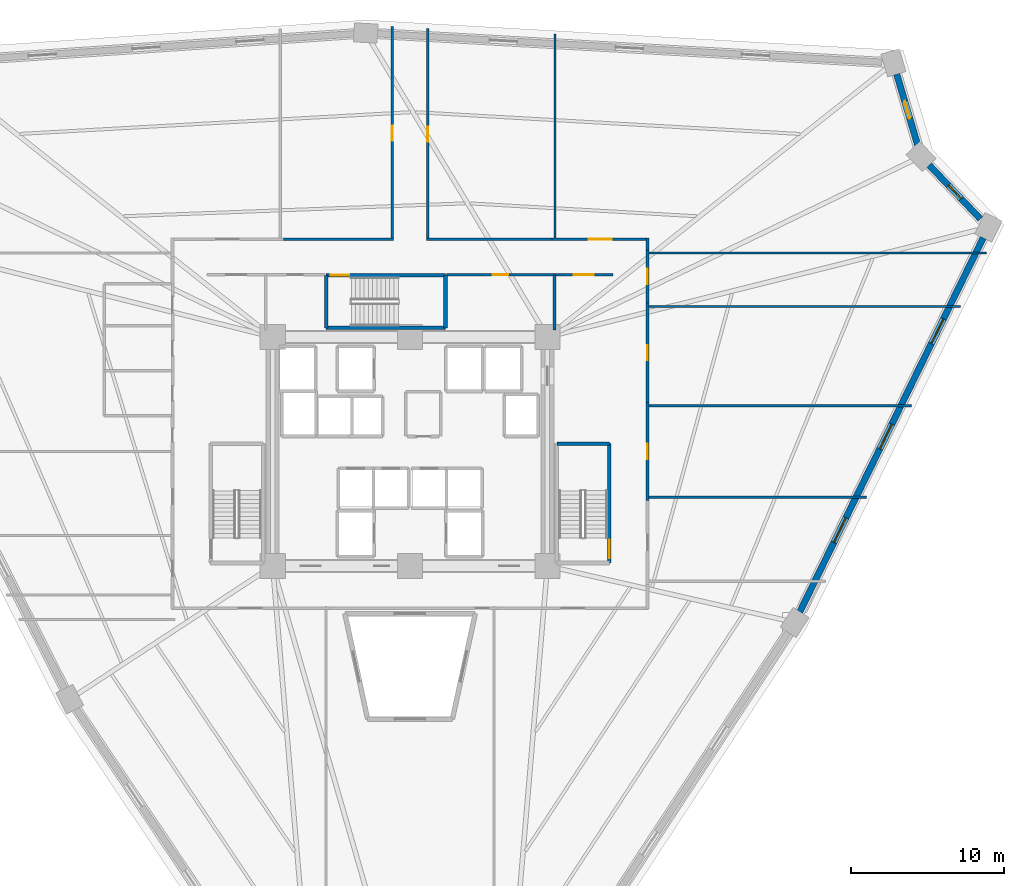
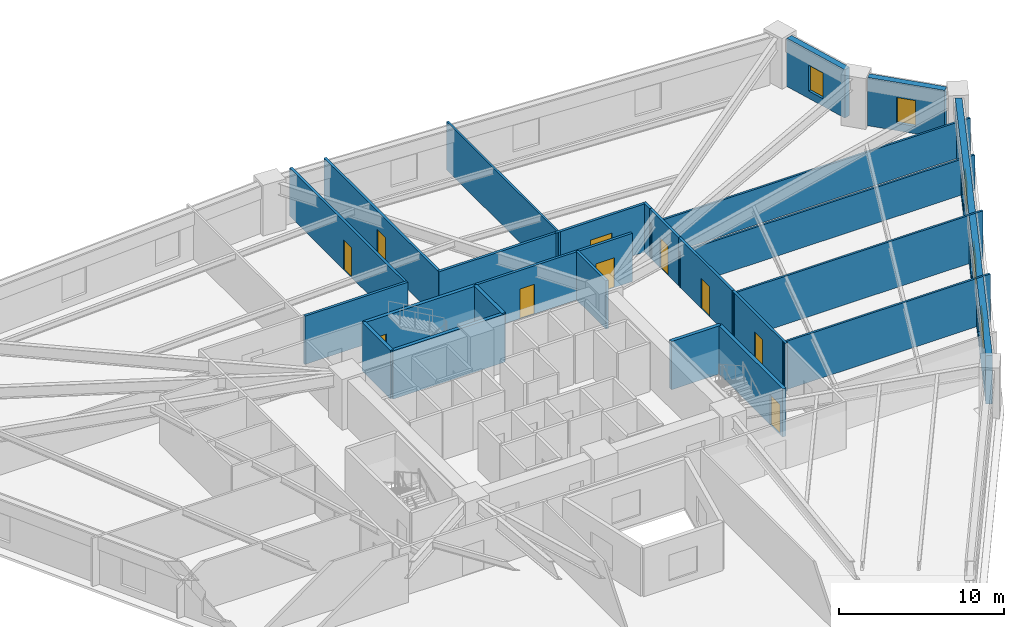
# One storey, part 6 of 9: 26 walls, 10 doors, 5 windows, 15 openings.
"""IFC4 building model written with IfcOpenShell, lengths in metres."""

from ifc_helpers import new_model, si_unit, direction, frame, frame_2d, origin, place, context, subcontext, project, spatial, rectangle, extrude, source, transform, mapped, material, layer, layer_set, type_object, element, fill, save


model = new_model("IFC4")

# Units and contexts
model_context = context("Model", 3, precision=1e-05, world=origin(), true_north=direction((0.0, 1.0)))
body_context = subcontext(model_context, "Body", "Model", "MODEL_VIEW")
ifc_project = project(units=[si_unit("LENGTHUNIT", "METRE"), si_unit("AREAUNIT", "SQUARE_METRE"), si_unit("VOLUMEUNIT", "CUBIC_METRE"), si_unit("PLANEANGLEUNIT", "RADIAN"), si_unit("MASSUNIT", "GRAM", prefix="KILO")], contexts=[model_context])

# Site, building, storey
site_placement = place(None, origin())
site = spatial("IfcSite", under=ifc_project, at=site_placement, CompositionType="ELEMENT")
building_placement = place(site_placement, origin())
building = spatial("IfcBuilding", under=site, at=building_placement, Name="Liaohun Quay Tower", CompositionType="ELEMENT")
storey_placement = place(building_placement, frame((0.0, 0.0, 74.25)))
storey = spatial("IfcBuildingStorey", under=building, at=storey_placement, Name="L19", CompositionType="ELEMENT", Elevation=74.25)

# Wall, openings, windows
ifc_material_1 = material(Name="Precast concrete C50 insulated sandwich", Category="concrete")
ifc_layer_1 = layer(ifc_material_1, 0.419921875, Name="Precast concrete C50 insulated sandwich", Category="concrete")
ifc_layer_set_1 = layer_set([ifc_layer_1], Name="Precast concrete C50 insulated sandwich")
wall_type_1 = type_object("IfcWallType", Name="WAL-EXT-Z12", PredefinedType="SOLIDWALL", material=ifc_layer_set_1)
wall_1_placement = place(storey_placement, frame((85.532958984375, 43.492919921875, 0.0), z_axis=(0.0, 0.0, 1.0), x_axis=(0.440255770672, 0.897872405406, 0.0)))
wall_1 = element("IfcWall", 1, at=wall_1_placement, inside=storey, type_object=wall_type_1, Name="L19 Brutalist Precast Pier Wall 03", PredefinedType="SOLIDWALL", context=body_context, shape_type="SweptSolid", body=[
    extrude(rectangle(XDim=27.295654296875, YDim=0.419921875, at=frame_2d((13.64794921875, 0.0))), origin(), (0.0, 0.0, 1.0), 3.570068359375),
])
shared_shape_1 = source(origin(), body_context, "Body", "SweptSolid", [
    extrude(rectangle(XDim=1.800048828125, YDim=1.949951171875, at=frame_2d((0.89990234375, 0.97509765625))), frame((0.0, 0.219970703125, 0.0), z_axis=(0.0, -1.0, 0.0), x_axis=(1.0, 0.0, 0.0)), (0.0, 0.0, 1.0), 0.43994140625),
])
opening_1_placement = place(wall_1_placement, frame((5.073974609375, 0.0, 0.550048828125)))
opening_1 = element("IfcOpeningElement", 2, at=opening_1_placement, cuts=wall_1, Name="Opening W01", PredefinedType="OPENING", context=body_context, shape_type="MappedRepresentation", body=[
    mapped(shared_shape_1, transform((0.0, 0.0, 0.0), x_axis=(1.0, 0.0, 0.0), y_axis=(0.0, 1.0, 0.0), z_axis=(0.0, 0.0, 1.0), scale=1.0)),
])
opening_2_placement = place(wall_1_placement, frame((11.89794921875, 0.0, 0.550048828125)))
opening_2 = element("IfcOpeningElement", 3, at=opening_2_placement, cuts=wall_1, Name="Opening W01", PredefinedType="OPENING", context=body_context, shape_type="MappedRepresentation", body=[
    mapped(shared_shape_1, transform((0.0, 0.0, 0.0), x_axis=(1.0, 0.0, 0.0), y_axis=(0.0, 1.0, 0.0), z_axis=(0.0, 0.0, 1.0), scale=1.0)),
])
opening_3_placement = place(wall_1_placement, frame((19.572021484375, 0.0, 0.550048828125)))
opening_3 = element("IfcOpeningElement", 4, at=opening_3_placement, cuts=wall_1, Name="Opening W01", PredefinedType="OPENING", context=body_context, shape_type="MappedRepresentation", body=[
    mapped(shared_shape_1, transform((0.0, 0.0, 0.0), x_axis=(1.0, 0.0, 0.0), y_axis=(0.0, 1.0, 0.0), z_axis=(0.0, 0.0, 1.0), scale=1.0)),
])
ifc_material_2 = material(Name="Triple Low-E argon glazing in thermally broken aluminium", Category="aluminium")
window_type_1 = type_object("IfcWindowType", Name="WIN-PUN-Z1", PartitioningType="DOUBLE_PANEL_VERTICAL", PredefinedType="WINDOW", material=ifc_material_2)
shared_shape_2 = source(origin(), body_context, "Body", "SweptSolid", [
    extrude(rectangle(XDim=1.800048828125, YDim=1.949951171875, at=frame_2d((0.89990234375, 0.97509765625))), frame((0.0, 0.030029296875, 0.0), z_axis=(0.0, -1.0, 0.0), x_axis=(1.0, 0.0, 0.0)), (0.0, 0.0, 1.0), 0.06005859375),
])
window_1_placement = place(opening_1_placement, origin())
window_1 = element("IfcWindow", 5, at=window_1_placement, inside=storey, type_object=window_type_1, Name="L19 Recessed Cold-Climate Punched Window 03-1", OverallHeight=1.949951171875, OverallWidth=1.800048828125, PartitioningType="DOUBLE_PANEL_VERTICAL", PredefinedType="WINDOW", context=body_context, shape_type="MappedRepresentation", body=[
    mapped(shared_shape_2, transform((0.0, 0.0, 0.0), x_axis=(1.0, 0.0, 0.0), y_axis=(0.0, 1.0, 0.0), z_axis=(0.0, 0.0, 1.0), scale=1.0)),
])
fill(opening_1, window_1)
window_2_placement = place(opening_2_placement, origin())
window_2 = element("IfcWindow", 6, at=window_2_placement, inside=storey, type_object=window_type_1, Name="L19 Recessed Cold-Climate Punched Window 03-2", OverallHeight=1.949951171875, OverallWidth=1.800048828125, PartitioningType="DOUBLE_PANEL_VERTICAL", PredefinedType="WINDOW", context=body_context, shape_type="MappedRepresentation", body=[
    mapped(shared_shape_2, transform((0.0, 0.0, 0.0), x_axis=(1.0, 0.0, 0.0), y_axis=(0.0, 1.0, 0.0), z_axis=(0.0, 0.0, 1.0), scale=1.0)),
])
fill(opening_2, window_2)
window_3_placement = place(opening_3_placement, origin())
window_3 = element("IfcWindow", 7, at=window_3_placement, inside=storey, type_object=window_type_1, Name="L19 Recessed Cold-Climate Punched Window 03-3", OverallHeight=1.949951171875, OverallWidth=1.800048828125, PartitioningType="DOUBLE_PANEL_VERTICAL", PredefinedType="WINDOW", context=body_context, shape_type="MappedRepresentation", body=[
    mapped(shared_shape_2, transform((0.0, 0.0, 0.0), x_axis=(1.0, 0.0, 0.0), y_axis=(0.0, 1.0, 0.0), z_axis=(0.0, 0.0, 1.0), scale=1.0)),
])
fill(opening_3, window_3)

# Wall, opening, window
wall_2_placement = place(storey_placement, frame((97.360107421875, 69.241943359375, 0.0), z_axis=(0.0, 0.0, 1.0), x_axis=(-0.689353606937, 0.724425016549, 0.0)))
wall_2 = element("IfcWall", 8, at=wall_2_placement, inside=storey, type_object=wall_type_1, Name="L19 Brutalist Precast Pier Wall 04", PredefinedType="SOLIDWALL", context=body_context, shape_type="SweptSolid", body=[
    extrude(rectangle(XDim=4.872802734375, YDim=0.419921875, at=frame_2d((2.4365234375, 0.0))), origin(), (0.0, 0.0, 1.0), 3.570068359375),
])
shared_shape_3 = source(origin(), body_context, "Body", "SweptSolid", [
    extrude(rectangle(XDim=1.199951171875, YDim=1.89990234375, at=frame_2d((0.60009765625, 0.949951171875))), frame((0.0, 0.219970703125, 0.0), z_axis=(0.0, -1.0, 0.0), x_axis=(1.0, 0.0, 0.0)), (0.0, 0.0, 1.0), 0.43994140625),
])
opening_4_placement = place(wall_2_placement, frame((1.8359375, 0.0, 0.550048828125)))
opening_4 = element("IfcOpeningElement", 9, at=opening_4_placement, cuts=wall_2, Name="Opening W05", PredefinedType="OPENING", context=body_context, shape_type="MappedRepresentation", body=[
    mapped(shared_shape_3, transform((0.0, 0.0, 0.0), x_axis=(1.0, 0.0, 0.0), y_axis=(0.0, 1.0, 0.0), z_axis=(0.0, 0.0, 1.0), scale=1.0)),
])
ifc_material_3 = material(Name="Triple Low-E corner notch glazing", Category="glass")
window_type_2 = type_object("IfcWindowType", Name="WIN-NOTCH", PartitioningType="SINGLE_PANEL", PredefinedType="WINDOW", material=ifc_material_3)
shared_shape_4 = source(origin(), body_context, "Body", "SweptSolid", [
    extrude(rectangle(XDim=1.199951171875, YDim=1.89990234375, at=frame_2d((0.60009765625, 0.949951171875))), frame((0.0, 0.030029296875, 0.0), z_axis=(0.0, -1.0, 0.0), x_axis=(1.0, 0.0, 0.0)), (0.0, 0.0, 1.0), 0.06005859375),
])
window_4_placement = place(opening_4_placement, origin())
window_4 = element("IfcWindow", 10, at=window_4_placement, inside=storey, type_object=window_type_2, Name="L19 Corner Notch Window W05-04", OverallHeight=1.89990234375, OverallWidth=1.199951171875, PartitioningType="SINGLE_PANEL", PredefinedType="WINDOW", context=body_context, shape_type="MappedRepresentation", body=[
    mapped(shared_shape_4, transform((0.0, 0.0, 0.0), x_axis=(1.0, 0.0, 0.0), y_axis=(0.0, 1.0, 0.0), z_axis=(0.0, 0.0, 1.0), scale=1.0)),
])
fill(opening_4, window_4)

wall_3_placement = place(storey_placement, frame((93.258056640625, 74.06005859375, 0.0), z_axis=(0.0, 0.0, 1.0), x_axis=(-0.282850961841, 0.959163872019, 0.0)))
wall_3 = element("IfcWall", 11, at=wall_3_placement, inside=storey, type_object=wall_type_1, Name="L19 Brutalist Precast Pier Wall 05", PredefinedType="SOLIDWALL", context=body_context, shape_type="SweptSolid", body=[
    extrude(rectangle(XDim=4.86474609375, YDim=0.419921875, at=frame_2d((2.432373046875, 0.0))), origin(), (0.0, 0.0, 1.0), 3.570068359375),
])
opening_5_placement = place(wall_3_placement, frame((1.83203125, 0.0, 0.550048828125)))
opening_5 = element("IfcOpeningElement", 12, at=opening_5_placement, cuts=wall_3, Name="Opening W05", PredefinedType="OPENING", context=body_context, shape_type="MappedRepresentation", body=[
    mapped(shared_shape_3, transform((0.0, 0.0, 0.0), x_axis=(1.0, 0.0, 0.0), y_axis=(0.0, 1.0, 0.0), z_axis=(0.0, 0.0, 1.0), scale=1.0)),
])
window_5_placement = place(opening_5_placement, origin())
window_5 = element("IfcWindow", 13, at=window_5_placement, inside=storey, type_object=window_type_2, Name="L19 Corner Notch Window W05-05", OverallHeight=1.89990234375, OverallWidth=1.199951171875, PartitioningType="SINGLE_PANEL", PredefinedType="WINDOW", context=body_context, shape_type="MappedRepresentation", body=[
    mapped(shared_shape_4, transform((0.0, 0.0, 0.0), x_axis=(1.0, 0.0, 0.0), y_axis=(0.0, 1.0, 0.0), z_axis=(0.0, 0.0, 1.0), scale=1.0)),
])
fill(opening_5, window_5)

# Wall, opening, door
ifc_material_4 = material(Name="Autoclaved aerated concrete blockwork", Category="masonry")
ifc_layer_2 = layer(ifc_material_4, 0.179931640625, Name="Autoclaved aerated concrete blockwork", Category="masonry")
ifc_layer_set_2 = layer_set([ifc_layer_2], Name="Autoclaved aerated concrete blockwork")
wall_type_2 = type_object("IfcWallType", Name="WAL-PRT-COR", PredefinedType="PARTITIONING", material=ifc_layer_set_2)
wall_4_placement = place(storey_placement, frame((62.389892578125, 65.580078125, 0.0), z_axis=(0.0, 0.0, 1.0), x_axis=(1.0, 0.0, 0.0)))
wall_4 = element("IfcWall", 14, at=wall_4_placement, inside=storey, type_object=wall_type_2, Name="L19 Interior Partition Wall 006", PredefinedType="PARTITIONING", context=body_context, shape_type="SweptSolid", body=[
    extrude(rectangle(XDim=7.070068359375, YDim=0.179931640625, at=frame_2d((3.53515625, 0.0))), origin(), (0.0, 0.0, 1.0), 3.570068359375),
])
shared_shape_5 = source(origin(), body_context, "Body", "SweptSolid", [
    extrude(rectangle(XDim=1.0, YDim=2.199951171875, at=frame_2d((0.5, 1.10009765625))), frame((0.0, 0.099853515625, 0.0), z_axis=(0.0, -1.0, 0.0), x_axis=(1.0, 0.0, 0.0)), (0.0, 0.0, 1.0), 0.199951171875),
])
opening_6_placement = place(wall_4_placement, frame((3.034912109375, 0.0, 0.0)))
opening_6 = element("IfcOpeningElement", 15, at=opening_6_placement, cuts=wall_4, Name="Opening OD1", PredefinedType="OPENING", context=body_context, shape_type="MappedRepresentation", body=[
    mapped(shared_shape_5, transform((0.0, 0.0, 0.0), x_axis=(1.0, 0.0, 0.0), y_axis=(0.0, 1.0, 0.0), z_axis=(0.0, 0.0, 1.0), scale=1.0)),
])
ifc_material_5 = material(Name="Solid-core oak veneer timber leaf in steel frame", Category="steel")
door_type_1 = type_object("IfcDoorType", Name="DOR-OFF-1000", OperationType="NOTDEFINED", PredefinedType="DOOR", material=ifc_material_5)
shared_shape_6 = source(origin(), body_context, "Body", "SweptSolid", [
    extrude(rectangle(XDim=1.0, YDim=2.199951171875, at=frame_2d((0.5, 1.10009765625))), frame((0.0, 0.02490234375, 0.0), z_axis=(0.0, -1.0, 0.0), x_axis=(1.0, 0.0, 0.0)), (0.0, 0.0, 1.0), 0.050048828125),
])
door_1_placement = place(opening_6_placement, origin())
door_1 = element("IfcDoor", 16, at=door_1_placement, inside=storey, type_object=door_type_1, Name="L19 North-East Archive and Mail Room Door", OperationType="SINGLE_SWING_RIGHT", OverallHeight=2.199951171875, OverallWidth=1.0, PredefinedType="DOOR", context=body_context, shape_type="MappedRepresentation", body=[
    mapped(shared_shape_6, transform((0.0, 0.0, 0.0), x_axis=(1.0, 0.0, 0.0), y_axis=(0.0, 1.0, 0.0), z_axis=(0.0, 0.0, 1.0), scale=1.0)),
])
fill(opening_6, door_1)

wall_5_placement = place(storey_placement, frame((69.4599609375, 65.580078125, 0.0), z_axis=(0.0, 0.0, 1.0), x_axis=(1.0, 0.0, 0.0)))
wall_5 = element("IfcWall", 17, at=wall_5_placement, inside=storey, type_object=wall_type_2, Name="L19 Interior Partition Wall 008", PredefinedType="PARTITIONING", context=body_context, shape_type="SweptSolid", body=[
    extrude(rectangle(XDim=3.840087890625, YDim=0.179931640625, at=frame_2d((1.919921875, 0.0))), origin(), (0.0, 0.0, 1.0), 3.570068359375),
])
shared_shape_7 = source(origin(), body_context, "Body", "SweptSolid", [
    extrude(rectangle(XDim=1.300048828125, YDim=2.199951171875, at=frame_2d((0.64990234375, 1.10009765625))), frame((0.0, 0.099853515625, 0.0), z_axis=(0.0, -1.0, 0.0), x_axis=(1.0, 0.0, 0.0)), (0.0, 0.0, 1.0), 0.199951171875),
])
opening_7_placement = place(wall_5_placement, frame((1.27001953125, 0.0, 0.0)))
opening_7 = element("IfcOpeningElement", 18, at=opening_7_placement, cuts=wall_5, Name="Opening FD1", PredefinedType="OPENING", context=body_context, shape_type="MappedRepresentation", body=[
    mapped(shared_shape_7, transform((0.0, 0.0, 0.0), x_axis=(1.0, 0.0, 0.0), y_axis=(0.0, 1.0, 0.0), z_axis=(0.0, 0.0, 1.0), scale=1.0)),
])
ifc_material_6 = material(Name="Galvanised steel smokeproof fire door", Category="steel")
door_type_2 = type_object("IfcDoorType", Name="DOR-FFL-1300", OperationType="NOTDEFINED", PredefinedType="DOOR", material=ifc_material_6)
shared_shape_8 = source(origin(), body_context, "Body", "SweptSolid", [
    extrude(rectangle(XDim=1.300048828125, YDim=2.199951171875, at=frame_2d((0.64990234375, 1.10009765625))), frame((0.0, 0.02490234375, 0.0), z_axis=(0.0, -1.0, 0.0), x_axis=(1.0, 0.0, 0.0)), (0.0, 0.0, 1.0), 0.050048828125),
])
door_2_placement = place(opening_7_placement, origin())
door_2 = element("IfcDoor", 19, at=door_2_placement, inside=storey, type_object=door_type_2, Name="L19 East Core Vestibule Door", OperationType="SINGLE_SWING_RIGHT", OverallHeight=2.199951171875, OverallWidth=1.300048828125, PredefinedType="DOOR", context=body_context, shape_type="MappedRepresentation", body=[
    mapped(shared_shape_8, transform((0.0, 0.0, 0.0), x_axis=(1.0, 0.0, 0.0), y_axis=(0.0, 1.0, 0.0), z_axis=(0.0, 0.0, 1.0), scale=1.0)),
])
fill(opening_7, door_2)

wall_6_placement = place(storey_placement, frame((75.56005859375, 57.215087890625, 0.0), z_axis=(0.0, 0.0, 1.0), x_axis=(0.0, -1.0, 0.0)))
wall_6 = element("IfcWall", 20, at=wall_6_placement, inside=storey, type_object=wall_type_2, Name="L19 Interior Partition Wall 009", PredefinedType="PARTITIONING", context=body_context, shape_type="SweptSolid", body=[
    extrude(rectangle(XDim=6.43017578125, YDim=0.179931640625, at=frame_2d((3.215087890625, 0.0))), origin(), (0.0, 0.0, 1.0), 3.570068359375),
])
opening_8_placement = place(wall_6_placement, frame((2.715087890625, 0.0, 0.0)))
opening_8 = element("IfcOpeningElement", 21, at=opening_8_placement, cuts=wall_6, Name="Opening OD1", PredefinedType="OPENING", context=body_context, shape_type="MappedRepresentation", body=[
    mapped(shared_shape_5, transform((0.0, 0.0, 0.0), x_axis=(1.0, 0.0, 0.0), y_axis=(0.0, 1.0, 0.0), z_axis=(0.0, 0.0, 1.0), scale=1.0)),
])
door_3_placement = place(opening_8_placement, origin())
door_3 = element("IfcDoor", 22, at=door_3_placement, inside=storey, type_object=door_type_1, Name="L19 Architectural Design Studio 01 Door", OperationType="SINGLE_SWING_LEFT", OverallHeight=2.199951171875, OverallWidth=1.0, PredefinedType="DOOR", context=body_context, shape_type="MappedRepresentation", body=[
    mapped(shared_shape_6, transform((0.0, 0.0, 0.0), x_axis=(1.0, 0.0, 0.0), y_axis=(0.0, 1.0, 0.0), z_axis=(0.0, 0.0, 1.0), scale=1.0)),
])
fill(opening_8, door_3)

wall_7_placement = place(storey_placement, frame((75.56005859375, 63.715087890625, 0.0), z_axis=(0.0, 0.0, 1.0), x_axis=(0.0, -1.0, 0.0)))
wall_7 = element("IfcWall", 23, at=wall_7_placement, inside=storey, type_object=wall_type_2, Name="L19 Interior Partition Wall 010", PredefinedType="PARTITIONING", context=body_context, shape_type="SweptSolid", body=[
    extrude(rectangle(XDim=6.5, YDim=0.179931640625, at=frame_2d((3.25, 0.0))), origin(), (0.0, 0.0, 1.0), 3.570068359375),
])
opening_9_placement = place(wall_7_placement, frame((2.75, 0.0, 0.0)))
opening_9 = element("IfcOpeningElement", 24, at=opening_9_placement, cuts=wall_7, Name="Opening OD1", PredefinedType="OPENING", context=body_context, shape_type="MappedRepresentation", body=[
    mapped(shared_shape_5, transform((0.0, 0.0, 0.0), x_axis=(1.0, 0.0, 0.0), y_axis=(0.0, 1.0, 0.0), z_axis=(0.0, 0.0, 1.0), scale=1.0)),
])
door_4_placement = place(opening_9_placement, origin())
door_4 = element("IfcDoor", 25, at=door_4_placement, inside=storey, type_object=door_type_1, Name="L19 Occupational Wellness Clinic 02 Door", OperationType="SINGLE_SWING_RIGHT", OverallHeight=2.199951171875, OverallWidth=1.0, PredefinedType="DOOR", context=body_context, shape_type="MappedRepresentation", body=[
    mapped(shared_shape_6, transform((0.0, 0.0, 0.0), x_axis=(1.0, 0.0, 0.0), y_axis=(0.0, 1.0, 0.0), z_axis=(0.0, 0.0, 1.0), scale=1.0)),
])
fill(opening_9, door_4)

wall_8_placement = place(storey_placement, frame((75.56005859375, 67.215087890625, 0.0), z_axis=(0.0, 0.0, 1.0), x_axis=(0.0, -1.0, 0.0)))
wall_8 = element("IfcWall", 26, at=wall_8_placement, inside=storey, type_object=wall_type_2, Name="L19 Interior Partition Wall 011", PredefinedType="PARTITIONING", context=body_context, shape_type="SweptSolid", body=[
    extrude(rectangle(XDim=3.5, YDim=0.179931640625, at=frame_2d((1.75, 0.0))), origin(), (0.0, 0.0, 1.0), 3.570068359375),
])
opening_10_placement = place(wall_8_placement, frame((1.25, 0.0, 0.0)))
opening_10 = element("IfcOpeningElement", 27, at=opening_10_placement, cuts=wall_8, Name="Opening OD1", PredefinedType="OPENING", context=body_context, shape_type="MappedRepresentation", body=[
    mapped(shared_shape_5, transform((0.0, 0.0, 0.0), x_axis=(1.0, 0.0, 0.0), y_axis=(0.0, 1.0, 0.0), z_axis=(0.0, 0.0, 1.0), scale=1.0)),
])
door_5_placement = place(opening_10_placement, origin())
door_5 = element("IfcDoor", 28, at=door_5_placement, inside=storey, type_object=door_type_1, Name="L19 Architectural Design Studio 03 Door", OperationType="SINGLE_SWING_LEFT", OverallHeight=2.199951171875, OverallWidth=1.0, PredefinedType="DOOR", context=body_context, shape_type="MappedRepresentation", body=[
    mapped(shared_shape_6, transform((0.0, 0.0, 0.0), x_axis=(1.0, 0.0, 0.0), y_axis=(0.0, 1.0, 0.0), z_axis=(0.0, 0.0, 1.0), scale=1.0)),
])
fill(opening_10, door_5)

wall_9_placement = place(storey_placement, frame((69.284912109375, 67.909912109375, 0.0), z_axis=(0.0, 0.0, 1.0), x_axis=(1.0, 0.0, 0.0)))
wall_9 = element("IfcWall", 29, at=wall_9_placement, inside=storey, type_object=wall_type_2, Name="L19 Interior Partition Wall 012", PredefinedType="PARTITIONING", context=body_context, shape_type="SweptSolid", body=[
    extrude(rectangle(XDim=6.344970703125, YDim=0.179931640625, at=frame_2d((3.17236328125, 0.0))), origin(), (0.0, 0.0, 1.0), 3.570068359375),
])
shared_shape_9 = source(origin(), body_context, "Body", "SweptSolid", [
    extrude(rectangle(XDim=1.5, YDim=2.199951171875, at=frame_2d((0.75, 1.10009765625))), frame((0.0, 0.099853515625, 0.0), z_axis=(0.0, -1.0, 0.0), x_axis=(1.0, 0.0, 0.0)), (0.0, 0.0, 1.0), 0.199951171875),
])
opening_11_placement = place(wall_9_placement, frame((2.422119140625, 0.0, 0.0)))
opening_11 = element("IfcOpeningElement", 30, at=opening_11_placement, cuts=wall_9, Name="Opening OD2", PredefinedType="OPENING", context=body_context, shape_type="MappedRepresentation", body=[
    mapped(shared_shape_9, transform((0.0, 0.0, 0.0), x_axis=(1.0, 0.0, 0.0), y_axis=(0.0, 1.0, 0.0), z_axis=(0.0, 0.0, 1.0), scale=1.0)),
])
ifc_material_7 = material(Name="Acoustic oak veneer double door")
door_type_3 = type_object("IfcDoorType", Name="DOR-OFF-1500", OperationType="DOUBLE_DOOR_SINGLE_SWING", PredefinedType="DOOR", material=ifc_material_7)
shared_shape_10 = source(origin(), body_context, "Body", "SweptSolid", [
    extrude(rectangle(XDim=1.5, YDim=2.199951171875, at=frame_2d((0.75, 1.10009765625))), frame((0.0, 0.02490234375, 0.0), z_axis=(0.0, -1.0, 0.0), x_axis=(1.0, 0.0, 0.0)), (0.0, 0.0, 1.0), 0.050048828125),
])
door_6_placement = place(opening_11_placement, origin())
door_6 = element("IfcDoor", 31, at=door_6_placement, inside=storey, type_object=door_type_3, Name="L19 Project Collaboration Studio 04 Door", OperationType="DOUBLE_DOOR_SINGLE_SWING", OverallHeight=2.199951171875, OverallWidth=1.5, PredefinedType="DOOR", context=body_context, shape_type="MappedRepresentation", body=[
    mapped(shared_shape_10, transform((0.0, 0.0, 0.0), x_axis=(1.0, 0.0, 0.0), y_axis=(0.0, 1.0, 0.0), z_axis=(0.0, 0.0, 1.0), scale=1.0)),
])
fill(opening_11, door_6)

wall_10_placement = place(storey_placement, frame((61.159912109375, 81.72900390625, 0.0), z_axis=(0.0, 0.0, 1.0), x_axis=(0.0, -1.0, 0.0)))
wall_10 = element("IfcWall", 32, at=wall_10_placement, inside=storey, type_object=wall_type_2, Name="L19 Interior Partition Wall 013", PredefinedType="PARTITIONING", context=body_context, shape_type="SweptSolid", body=[
    extrude(rectangle(XDim=13.888916015625, YDim=0.179931640625, at=frame_2d((6.9443359375, 0.0))), origin(), (0.0, 0.0, 1.0), 3.570068359375),
])
opening_12_placement = place(wall_10_placement, frame((6.444091796875, 0.0, 0.0)))
opening_12 = element("IfcOpeningElement", 33, at=opening_12_placement, cuts=wall_10, Name="Opening OD1", PredefinedType="OPENING", context=body_context, shape_type="MappedRepresentation", body=[
    mapped(shared_shape_5, transform((0.0, 0.0, 0.0), x_axis=(1.0, 0.0, 0.0), y_axis=(0.0, 1.0, 0.0), z_axis=(0.0, 0.0, 1.0), scale=1.0)),
])
door_7_placement = place(opening_12_placement, origin())
door_7 = element("IfcDoor", 34, at=door_7_placement, inside=storey, type_object=door_type_1, Name="L19 Occupational Wellness Clinic 05 Door", OperationType="SINGLE_SWING_LEFT", OverallHeight=2.199951171875, OverallWidth=1.0, PredefinedType="DOOR", context=body_context, shape_type="MappedRepresentation", body=[
    mapped(shared_shape_6, transform((0.0, 0.0, 0.0), x_axis=(1.0, 0.0, 0.0), y_axis=(0.0, 1.0, 0.0), z_axis=(0.0, 0.0, 1.0), scale=1.0)),
])
fill(opening_12, door_7)

wall_11_placement = place(storey_placement, frame((58.840087890625, 67.840087890625, 0.0), z_axis=(0.0, 0.0, 1.0), x_axis=(0.0, 1.0, 0.0)))
wall_11 = element("IfcWall", 35, at=wall_11_placement, inside=storey, type_object=wall_type_2, Name="L19 Interior Partition Wall 014", PredefinedType="PARTITIONING", context=body_context, shape_type="SweptSolid", body=[
    extrude(rectangle(XDim=14.02001953125, YDim=0.179931640625, at=frame_2d((7.010009765625, 0.0))), origin(), (0.0, 0.0, 1.0), 3.570068359375),
])
opening_13_placement = place(wall_11_placement, frame((6.510009765625, 0.0, 0.0)))
opening_13 = element("IfcOpeningElement", 36, at=opening_13_placement, cuts=wall_11, Name="Opening OD1", PredefinedType="OPENING", context=body_context, shape_type="MappedRepresentation", body=[
    mapped(shared_shape_5, transform((0.0, 0.0, 0.0), x_axis=(1.0, 0.0, 0.0), y_axis=(0.0, 1.0, 0.0), z_axis=(0.0, 0.0, 1.0), scale=1.0)),
])
door_8_placement = place(opening_13_placement, origin())
door_8 = element("IfcDoor", 37, at=door_8_placement, inside=storey, type_object=door_type_1, Name="L19 Staff Tea Kitchen and Pantry 06 Door", OperationType="SINGLE_SWING_RIGHT", OverallHeight=2.199951171875, OverallWidth=1.0, PredefinedType="DOOR", context=body_context, shape_type="MappedRepresentation", body=[
    mapped(shared_shape_6, transform((0.0, 0.0, 0.0), x_axis=(1.0, 0.0, 0.0), y_axis=(0.0, 1.0, 0.0), z_axis=(0.0, 0.0, 1.0), scale=1.0)),
])
fill(opening_13, door_8)

# Walls
wall_12_placement = place(storey_placement, frame((69.4599609375, 61.949951171875, 0.0), z_axis=(0.0, 0.0, 1.0), x_axis=(0.0, 1.0, 0.0)))
element("IfcWall", 38, at=wall_12_placement, inside=storey, type_object=wall_type_2, Name="L19 Interior Partition Wall 032", PredefinedType="PARTITIONING", context=body_context, shape_type="SweptSolid", body=[
    extrude(rectangle(XDim=3.630126953125, YDim=0.179931640625, at=frame_2d((1.81494140625, 0.0))), origin(), (0.0, 0.0, 1.0), 3.570068359375),
])
wall_13_placement = place(storey_placement, frame((75.56005859375, 67.97998046875, 0.0), z_axis=(0.0, 0.0, 1.0), x_axis=(0.0, -1.0, 0.0)))
element("IfcWall", 39, at=wall_13_placement, inside=storey, type_object=wall_type_2, Name="L19 Interior Partition Wall 033", PredefinedType="PARTITIONING", context=body_context, shape_type="SweptSolid", body=[
    extrude(rectangle(XDim=0.764892578125, YDim=0.179931640625, at=frame_2d((0.38232421875, 0.0))), origin(), (0.0, 0.0, 1.0), 3.570068359375),
])
wall_14_placement = place(storey_placement, frame((61.090087890625, 67.909912109375, 0.0), z_axis=(0.0, 0.0, 1.0), x_axis=(1.0, 0.0, 0.0)))
element("IfcWall", 40, at=wall_14_placement, inside=storey, type_object=wall_type_2, Name="L19 Interior Partition Wall 034", PredefinedType="PARTITIONING", context=body_context, shape_type="SweptSolid", body=[
    extrude(rectangle(XDim=8.19482421875, YDim=0.179931640625, at=frame_2d((4.097412109375, 0.0))), origin(), (0.0, 0.0, 1.0), 3.570068359375),
])
wall_15_placement = place(storey_placement, frame((51.715087890625, 67.909912109375, 0.0), z_axis=(0.0, 0.0, 1.0), x_axis=(1.0, 0.0, 0.0)))
element("IfcWall", 41, at=wall_15_placement, inside=storey, type_object=wall_type_2, Name="L19 Interior Partition Wall 035", PredefinedType="PARTITIONING", context=body_context, shape_type="SweptSolid", body=[
    extrude(rectangle(XDim=7.19482421875, YDim=0.179931640625, at=frame_2d((3.597412109375, 0.0))), origin(), (0.0, 0.0, 1.0), 3.570068359375),
])
ifc_material_8 = material(Name="Gypsum board on twin steel studs", Category="steel")
ifc_layer_3 = layer(ifc_material_8, 0.139892578125, Name="Gypsum board on twin steel studs", Category="steel")
ifc_layer_set_3 = layer_set([ifc_layer_3], Name="Gypsum board on twin steel studs")
wall_type_3 = type_object("IfcWallType", Name="WAL-PRT-OFF", PredefinedType="PARTITIONING", material=ifc_layer_set_3)
wall_16_placement = place(storey_placement, frame((75.4599609375, 51.0, 0.0), z_axis=(0.0, 0.0, 1.0), x_axis=(1.0, 0.0, 0.0)))
element("IfcWall", 42, at=wall_16_placement, inside=storey, type_object=wall_type_3, Name="L19 Interior Partition Wall 046", PredefinedType="PARTITIONING", context=body_context, shape_type="SweptSolid", body=[
    extrude(rectangle(XDim=14.4560546875, YDim=0.139892578125, at=frame_2d((7.22802734375, 0.0))), origin(), (0.0, 0.0, 1.0), 3.570068359375),
])
wall_17_placement = place(storey_placement, frame((75.4599609375, 57.0, 0.0), z_axis=(0.0, 0.0, 1.0), x_axis=(1.0, 0.0, 0.0)))
element("IfcWall", 43, at=wall_17_placement, inside=storey, type_object=wall_type_3, Name="L19 Interior Partition Wall 047", PredefinedType="PARTITIONING", context=body_context, shape_type="SweptSolid", body=[
    extrude(rectangle(XDim=17.39794921875, YDim=0.139892578125, at=frame_2d((8.698974609375, 0.0))), origin(), (0.0, 0.0, 1.0), 3.570068359375),
])
wall_18_placement = place(storey_placement, frame((75.4599609375, 63.5, 0.0), z_axis=(0.0, 0.0, 1.0), x_axis=(1.0, 0.0, 0.0)))
element("IfcWall", 44, at=wall_18_placement, inside=storey, type_object=wall_type_3, Name="L19 Interior Partition Wall 048", PredefinedType="PARTITIONING", context=body_context, shape_type="SweptSolid", body=[
    extrude(rectangle(XDim=20.5849609375, YDim=0.139892578125, at=frame_2d((10.29248046875, 0.0))), origin(), (0.0, 0.0, 1.0), 2.655029296875),
])
wall_19_placement = place(storey_placement, frame((75.4599609375, 67.0, 0.0), z_axis=(0.0, 0.0, 1.0), x_axis=(1.0, 0.0, 0.0)))
element("IfcWall", 45, at=wall_19_placement, inside=storey, type_object=wall_type_3, Name="L19 Interior Partition Wall 049", PredefinedType="PARTITIONING", context=body_context, shape_type="SweptSolid", body=[
    extrude(rectangle(XDim=22.301025390625, YDim=0.139892578125, at=frame_2d((11.150390625, 0.0))), origin(), (0.0, 0.0, 1.0), 2.655029296875),
])
wall_20_placement = place(storey_placement, frame((69.5, 67.81005859375, 0.0), z_axis=(0.0, 0.0, 1.0), x_axis=(0.0, 1.0, 0.0)))
element("IfcWall", 46, at=wall_20_placement, inside=storey, type_object=wall_type_3, Name="L19 Interior Partition Wall 051", PredefinedType="PARTITIONING", context=body_context, shape_type="SweptSolid", body=[
    extrude(rectangle(XDim=13.536865234375, YDim=0.139892578125, at=frame_2d((6.7685546875, 0.0))), origin(), (0.0, 0.0, 1.0), 3.570068359375),
])

# Wall, opening, door
ifc_material_9 = material(Name="Concrete C50", Category="concrete")
ifc_layer_4 = layer(ifc_material_9, 0.239990234375, Name="Concrete C50", Category="concrete")
ifc_layer_set_4 = layer_set([ifc_layer_4], Name="Concrete C50")
wall_type_4 = type_object("IfcWallType", Name="WAL-SHF-200", PredefinedType="SOLIDWALL", material=ifc_layer_set_4)
wall_21_placement = place(storey_placement, frame((73.06005859375, 46.699951171875, 0.0), z_axis=(0.0, 0.0, 1.0), x_axis=(0.0, 1.0, 0.0)))
wall_21 = element("IfcWall", 47, at=wall_21_placement, inside=storey, type_object=wall_type_4, Name="L19 Stairwell ST-2 Structural Core Wall E", PredefinedType="SOLIDWALL", context=body_context, shape_type="SweptSolid", body=[
    extrude(rectangle(XDim=7.820068359375, YDim=0.239990234375, at=frame_2d((3.91015625, 0.0))), origin(), (0.0, 0.0, 1.0), 3.570068359375),
])
shared_shape_11 = source(origin(), body_context, "Body", "SweptSolid", [
    extrude(rectangle(XDim=1.199951171875, YDim=2.199951171875, at=frame_2d((0.60009765625, 1.10009765625))), frame((0.0, 0.1298828125, 0.0), z_axis=(0.0, -1.0, 0.0), x_axis=(1.0, 0.0, 0.0)), (0.0, 0.0, 1.0), 0.260009765625),
])
opening_14_placement = place(wall_21_placement, frame((0.320068359375, 0.0, 0.0)))
opening_14 = element("IfcOpeningElement", 48, at=opening_14_placement, cuts=wall_21, Name="Opening SD1", PredefinedType="OPENING", context=body_context, shape_type="MappedRepresentation", body=[
    mapped(shared_shape_11, transform((0.0, 0.0, 0.0), x_axis=(1.0, 0.0, 0.0), y_axis=(0.0, 1.0, 0.0), z_axis=(0.0, 0.0, 1.0), scale=1.0)),
])
ifc_material_10 = material(Name="Galvanised steel fire door", Category="steel")
door_type_4 = type_object("IfcDoorType", Name="DOR-STR-1200", OperationType="NOTDEFINED", PredefinedType="DOOR", material=ifc_material_10)
shared_shape_12 = source(origin(), body_context, "Body", "SweptSolid", [
    extrude(rectangle(XDim=1.199951171875, YDim=2.199951171875, at=frame_2d((0.60009765625, 1.10009765625))), frame((0.0, 0.02490234375, 0.0), z_axis=(0.0, -1.0, 0.0), x_axis=(1.0, 0.0, 0.0)), (0.0, 0.0, 1.0), 0.050048828125),
])
door_9_placement = place(opening_14_placement, origin())
door_9 = element("IfcDoor", 49, at=door_9_placement, inside=storey, type_object=door_type_4, Name="L19 Protected Stair ST-2 Fire Door", OperationType="SINGLE_SWING_RIGHT", OverallHeight=2.199951171875, OverallWidth=1.199951171875, PredefinedType="DOOR", context=body_context, shape_type="MappedRepresentation", body=[
    mapped(shared_shape_12, transform((0.0, 0.0, 0.0), x_axis=(1.0, 0.0, 0.0), y_axis=(0.0, 1.0, 0.0), z_axis=(0.0, 0.0, 1.0), scale=1.0)),
])
fill(opening_14, door_9)

# Walls
wall_22_placement = place(storey_placement, frame((73.06005859375, 54.52001953125, 0.0), z_axis=(0.0, 0.0, 1.0), x_axis=(-1.0, 0.0, 0.0)))
element("IfcWall", 50, at=wall_22_placement, inside=storey, type_object=wall_type_4, Name="L19 Stairwell ST-2 Structural Core Wall N", PredefinedType="SOLIDWALL", context=body_context, shape_type="SweptSolid", body=[
    extrude(rectangle(XDim=3.43994140625, YDim=0.239990234375, at=frame_2d((1.719970703125, 0.0))), origin(), (0.0, 0.0, 1.0), 3.570068359375),
])
wall_23_placement = place(storey_placement, frame((54.5, 62.10009765625, 0.0), z_axis=(0.0, 0.0, 1.0), x_axis=(1.0, 0.0, 0.0)))
element("IfcWall", 51, at=wall_23_placement, inside=storey, type_object=wall_type_4, Name="L19 Stairwell ST-3 Structural Core Wall S", PredefinedType="SOLIDWALL", context=body_context, shape_type="SweptSolid", body=[
    extrude(rectangle(XDim=7.820068359375, YDim=0.239990234375, at=frame_2d((3.91015625, 0.0))), origin(), (0.0, 0.0, 1.0), 3.570068359375),
])
wall_24_placement = place(storey_placement, frame((62.320068359375, 62.10009765625, 0.0), z_axis=(0.0, 0.0, 1.0), x_axis=(0.0, 1.0, 0.0)))
element("IfcWall", 52, at=wall_24_placement, inside=storey, type_object=wall_type_4, Name="L19 Stairwell ST-3 Structural Core Wall E", PredefinedType="SOLIDWALL", context=body_context, shape_type="SweptSolid", body=[
    extrude(rectangle(XDim=3.43994140625, YDim=0.239990234375, at=frame_2d((1.719970703125, 0.0))), origin(), (0.0, 0.0, 1.0), 3.570068359375),
])

# Wall, opening, door
wall_25_placement = place(storey_placement, frame((62.320068359375, 65.5400390625, 0.0), z_axis=(0.0, 0.0, 1.0), x_axis=(-1.0, 0.0, 0.0)))
wall_25 = element("IfcWall", 53, at=wall_25_placement, inside=storey, type_object=wall_type_4, Name="L19 Stairwell ST-3 Structural Core Wall N", PredefinedType="SOLIDWALL", context=body_context, shape_type="SweptSolid", body=[
    extrude(rectangle(XDim=7.820068359375, YDim=0.239990234375, at=frame_2d((3.91015625, 0.0))), origin(), (0.0, 0.0, 1.0), 3.570068359375),
])
opening_15_placement = place(wall_25_placement, frame((6.300048828125, 0.0, 0.0)))
opening_15 = element("IfcOpeningElement", 54, at=opening_15_placement, cuts=wall_25, Name="Opening SD1", PredefinedType="OPENING", context=body_context, shape_type="MappedRepresentation", body=[
    mapped(shared_shape_11, transform((0.0, 0.0, 0.0), x_axis=(1.0, 0.0, 0.0), y_axis=(0.0, 1.0, 0.0), z_axis=(0.0, 0.0, 1.0), scale=1.0)),
])
door_10_placement = place(opening_15_placement, origin())
door_10 = element("IfcDoor", 55, at=door_10_placement, inside=storey, type_object=door_type_4, Name="L19 Protected Stair ST-3 Fire Door", OperationType="SINGLE_SWING_RIGHT", OverallHeight=2.199951171875, OverallWidth=1.199951171875, PredefinedType="DOOR", context=body_context, shape_type="MappedRepresentation", body=[
    mapped(shared_shape_12, transform((0.0, 0.0, 0.0), x_axis=(1.0, 0.0, 0.0), y_axis=(0.0, 1.0, 0.0), z_axis=(0.0, 0.0, 1.0), scale=1.0)),
])
fill(opening_15, door_10)

# Wall
wall_26_placement = place(storey_placement, frame((54.5, 65.5400390625, 0.0), z_axis=(0.0, 0.0, 1.0), x_axis=(0.0, -1.0, 0.0)))
element("IfcWall", 56, at=wall_26_placement, inside=storey, type_object=wall_type_4, Name="L19 Stairwell ST-3 Structural Core Wall W", PredefinedType="SOLIDWALL", context=body_context, shape_type="SweptSolid", body=[
    extrude(rectangle(XDim=3.43994140625, YDim=0.239990234375, at=frame_2d((1.719970703125, 0.0))), origin(), (0.0, 0.0, 1.0), 3.570068359375),
])

save(model, "model.ifc")
